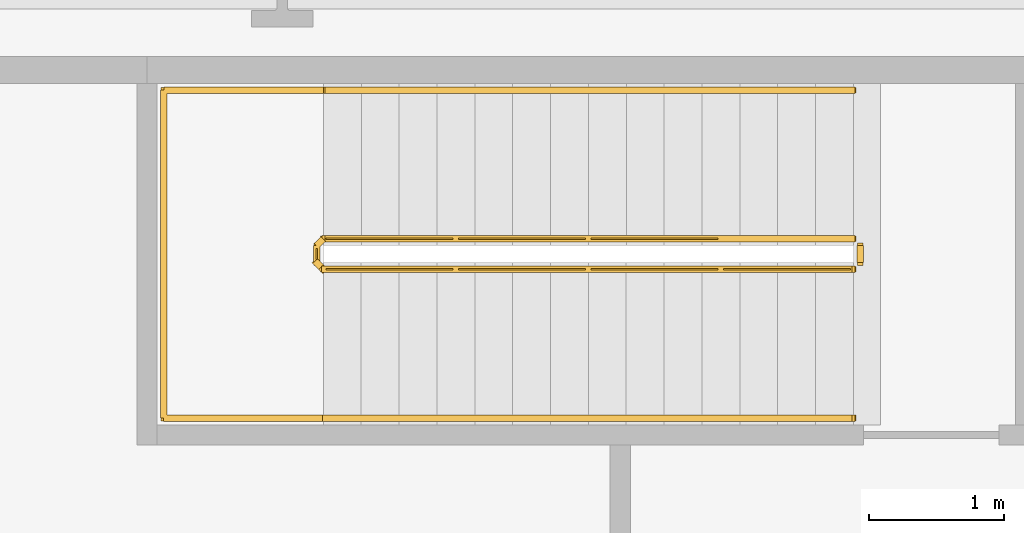
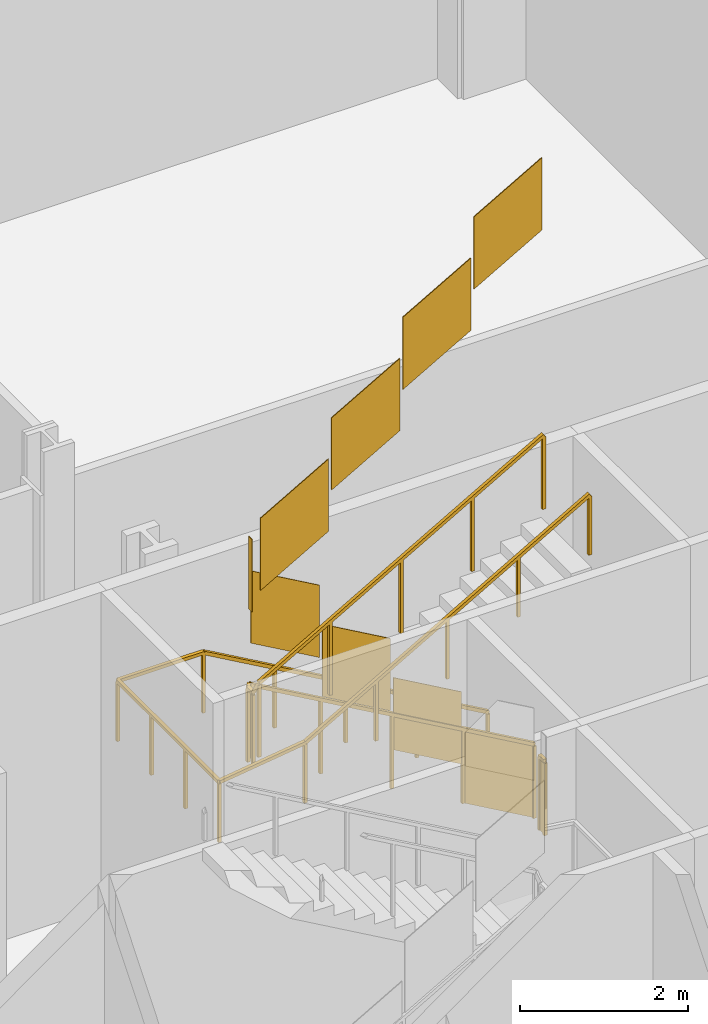
# One storey, part 24 of 26: 3 railings.
"""IFC4 building model written with IfcOpenShell, lengths in metres."""

from ifc_helpers import new_model, si_unit, direction, frame, origin, origin_2d, place, context, subcontext, project, spatial, polyline, rectangle, outline, extrude, material, type_object, element, save


model = new_model("IFC4")

# Units and contexts
model_context = context("Model", 3, precision=1e-05, world=origin(), true_north=direction((0.0, 1.0)))
body_context = subcontext(model_context, "Body", "Model", "MODEL_VIEW")
ifc_project = project(units=[si_unit("LENGTHUNIT", "METRE"), si_unit("AREAUNIT", "SQUARE_METRE"), si_unit("VOLUMEUNIT", "CUBIC_METRE"), si_unit("PLANEANGLEUNIT", "RADIAN"), si_unit("MASSUNIT", "GRAM", prefix="KILO")], contexts=[model_context])

# Site, building, storey
site_placement = place(None, origin())
site = spatial("IfcSite", under=ifc_project, at=site_placement, CompositionType="ELEMENT")
building_placement = place(site_placement, origin())
building = spatial("IfcBuilding", under=site, at=building_placement, Name="Cairn Pilgrim Tower", CompositionType="ELEMENT")
storey_placement = place(building_placement, frame((0.0, 0.0, 25.800048828125)))
storey = spatial("IfcBuildingStorey", under=building, at=storey_placement, Name="L04", CompositionType="ELEMENT", Elevation=25.800048828125)

# Railings
ifc_material = material(Name="Painted steel", Category="steel")
railing_type_1 = type_object("IfcRailingType", Name="STAIR GUARD 1100", PredefinedType="GUARDRAIL", material=ifc_material)
railing_1_placement = place(storey_placement, frame((11.425048828125, 8.949951171875, 0.159912109375)))
element("IfcRailing", 1, at=railing_1_placement, inside=storey, type_object=railing_type_1, Name="L04 ST-C stair guard 1", PredefinedType="GUARDRAIL", context=body_context, shape_type="SweptSolid", body=[
    extrude(rectangle(XDim=0.048095703125, YDim=0.048095703125, at=origin_2d()), frame((0.0, 0.0, 1.076171875), z_axis=(-0.86825312469, 0.0, 0.496121468458), x_axis=(0.0, -1.0, 0.0)), (0.0, 0.0, 1.0), 4.514892578125),
    extrude(rectangle(XDim=0.048095703125, YDim=0.048095703125, at=origin_2d()), frame((-3.920166015625, 0.0, 3.31591796875), z_axis=(-0.705375805398, -0.708833529934, 0.0), x_axis=(0.708833529934, -0.705375805398, 0.0)), (0.0, 0.0, 1.0), 0.070556640625),
    extrude(rectangle(XDim=0.048095703125, YDim=0.048095703125, at=origin_2d()), frame((-3.969970703125, -0.050048828125, 3.31591796875), z_axis=(0.0, -1.0, 0.0), x_axis=(1.0, 0.0, 0.0)), (0.0, 0.0, 1.0), 0.125),
    extrude(rectangle(XDim=0.048095703125, YDim=0.048095703125, at=origin_2d()), frame((-3.969970703125, -0.175048828125, 3.31591796875), z_axis=(0.284663109963, -0.284663109963, 0.915387255566), x_axis=(0.707106781187, 0.707106781187, 0.0)), (0.0, 0.0, 1.0), 0.175048828125),
    extrude(rectangle(XDim=0.048095703125, YDim=0.048095703125, at=origin_2d()), frame((-3.920166015625, -0.224853515625, 3.47607421875), z_axis=(0.86825312469, 0.0, 0.496121468458), x_axis=(0.0, 1.0, 0.0)), (0.0, 0.0, 1.0), 4.514892578125),
    extrude(rectangle(XDim=0.0419921875, YDim=0.0419921875, at=origin_2d()), origin(), (0.0, 0.0, 1.0), 1.052001953125),
    extrude(rectangle(XDim=0.0419921875, YDim=0.0419921875, at=origin_2d()), frame((-0.97998046875, 0.0, 0.56005859375)), (0.0, 0.0, 1.0), 1.052001953125),
    extrude(rectangle(XDim=0.0419921875, YDim=0.0419921875, at=origin_2d()), frame((-1.9599609375, 0.0, 1.1201171875)), (0.0, 0.0, 1.0), 1.052001953125),
    extrude(rectangle(XDim=0.0419921875, YDim=0.0419921875, at=origin_2d()), frame((-2.940185546875, 0.0, 1.679931640625)), (0.0, 0.0, 1.0), 1.052001953125),
    extrude(rectangle(XDim=0.0419921875, YDim=0.0419921875, at=origin_2d()), frame((-3.920166015625, 0.0, 2.239990234375)), (0.0, 0.0, 1.0), 1.052001953125),
    extrude(rectangle(XDim=0.0419921875, YDim=0.0419921875, at=origin_2d()), frame((-3.969970703125, -0.050048828125, 2.239990234375)), (0.0, 0.0, 1.0), 1.052001953125),
    extrude(rectangle(XDim=0.0419921875, YDim=0.0419921875, at=origin_2d()), frame((-3.969970703125, -0.175048828125, 2.239990234375)), (0.0, 0.0, 1.0), 1.052001953125),
    extrude(rectangle(XDim=0.0419921875, YDim=0.0419921875, at=origin_2d()), frame((-3.920166015625, -0.224853515625, 2.400146484375)), (0.0, 0.0, 1.0), 1.052001953125),
    extrude(rectangle(XDim=0.0419921875, YDim=0.0419921875, at=origin_2d()), frame((-2.940185546875, -0.224853515625, 2.960205078125)), (0.0, 0.0, 1.0), 1.052001953125),
    extrude(rectangle(XDim=0.0419921875, YDim=0.0419921875, at=origin_2d()), frame((-1.9599609375, -0.224853515625, 3.52001953125)), (0.0, 0.0, 1.0), 1.052001953125),
    extrude(rectangle(XDim=0.0419921875, YDim=0.0419921875, at=origin_2d()), frame((-0.97998046875, -0.224853515625, 4.080078125)), (0.0, 0.0, 1.0), 1.052001953125),
    extrude(rectangle(XDim=0.0419921875, YDim=0.0419921875, at=origin_2d()), frame((0.0, -0.224853515625, 4.64013671875)), (0.0, 0.0, 1.0), 1.052001953125),
    extrude(outline(polyline([(0.02099609375, 0.011962890625), (0.958984375, 0.548095703125), (0.958984375, 1.60009765625), (0.02099609375, 1.06396484375), (0.02099609375, 0.011962890625)])), frame((0.0, -0.005859375, 0.0), z_axis=(0.0, 1.0, 0.0), x_axis=(-1.0, 0.0, 0.0)), (0.0, 0.0, 1.0), 0.011962890625),
    extrude(outline(polyline([(0.02099609375, 0.572021484375), (0.958984375, 1.10791015625), (0.958984375, 2.159912109375), (0.02099609375, 1.6240234375), (0.02099609375, 0.572021484375)])), frame((-0.97998046875, -0.005859375, 0.56005859375), z_axis=(0.0, 1.0, 0.0), x_axis=(-1.0, 0.0, 0.0)), (0.0, 0.0, 1.0), 0.011962890625),
    extrude(outline(polyline([(0.02099609375, 1.132080078125), (0.958984375, 1.66796875), (0.958984375, 2.719970703125), (0.02099609375, 2.18408203125), (0.02099609375, 1.132080078125)])), frame((-1.9599609375, -0.005859375, 1.1201171875), z_axis=(0.0, 1.0, 0.0), x_axis=(-1.0, 0.0, 0.0)), (0.0, 0.0, 1.0), 0.011962890625),
    extrude(outline(polyline([(0.02099609375, 1.69189453125), (0.958984375, 2.22802734375), (0.958984375, 3.280029296875), (0.02099609375, 2.743896484375), (0.02099609375, 1.69189453125)])), frame((-2.940185546875, -0.005859375, 1.679931640625), z_axis=(0.0, 1.0, 0.0), x_axis=(-1.0, 0.0, 0.0)), (0.0, 0.0, 1.0), 0.011962890625),
    extrude(outline(polyline([(0.02099609375, 2.239990234375), (0.10400390625, 2.239990234375), (0.10400390625, 3.2919921875), (0.02099609375, 3.2919921875), (0.02099609375, 2.239990234375)])), frame((-3.9638671875, -0.050048828125, 2.239990234375), z_axis=(-1.0, 0.0, 0.0), x_axis=(0.0, -1.0, 0.0)), (0.0, 0.0, 1.0), 0.011962890625),
    extrude(outline(polyline([(0.02099609375, 2.412109375), (0.958984375, 2.9482421875), (0.958984375, 4.000244140625), (0.02099609375, 3.464111328125), (0.02099609375, 2.412109375)])), frame((-3.920166015625, -0.21875, 2.400146484375), z_axis=(0.0, -1.0, 0.0), x_axis=(1.0, 0.0, 0.0)), (0.0, 0.0, 1.0), 0.011962890625),
    extrude(outline(polyline([(0.02099609375, 2.97216796875), (0.958984375, 3.508056640625), (0.958984375, 4.56005859375), (0.02099609375, 4.024169921875), (0.02099609375, 2.97216796875)])), frame((-2.940185546875, -0.21875, 2.960205078125), z_axis=(0.0, -1.0, 0.0), x_axis=(1.0, 0.0, 0.0)), (0.0, 0.0, 1.0), 0.011962890625),
    extrude(outline(polyline([(0.02099609375, 3.5322265625), (0.958984375, 4.068115234375), (0.958984375, 5.1201171875), (0.02099609375, 4.584228515625), (0.02099609375, 3.5322265625)])), frame((-1.9599609375, -0.21875, 3.52001953125), z_axis=(0.0, -1.0, 0.0), x_axis=(1.0, 0.0, 0.0)), (0.0, 0.0, 1.0), 0.011962890625),
    extrude(outline(polyline([(0.02099609375, 4.092041015625), (0.958984375, 4.628173828125), (0.958984375, 5.68017578125), (0.02099609375, 5.14404296875), (0.02099609375, 4.092041015625)])), frame((-0.97998046875, -0.21875, 4.080078125), z_axis=(0.0, -1.0, 0.0), x_axis=(1.0, 0.0, 0.0)), (0.0, 0.0, 1.0), 0.011962890625),
])
railing_2_placement = place(storey_placement, frame((11.47509765625, 8.89990234375, 0.0)))
element("IfcRailing", 2, at=railing_2_placement, inside=storey, type_object=railing_type_1, Name="L04 ST-C stair guard 2", PredefinedType="GUARDRAIL", context=body_context, shape_type="SweptSolid", body=[
    extrude(rectangle(XDim=0.048095703125, YDim=0.048095703125, at=origin_2d()), frame((0.0, 0.0, 1.076171875), z_axis=(0.0, -1.0, 0.0), x_axis=(1.0, 0.0, 0.0)), (0.0, 0.0, 1.0), 0.125),
    extrude(rectangle(XDim=0.0419921875, YDim=0.0419921875, at=origin_2d()), origin(), (0.0, 0.0, 1.0), 1.052001953125),
    extrude(rectangle(XDim=0.0419921875, YDim=0.0419921875, at=origin_2d()), frame((0.0, -0.125, 0.0)), (0.0, 0.0, 1.0), 1.052001953125),
    extrude(outline(polyline([(0.02099609375, 0.0), (0.10400390625, 0.0), (0.10400390625, 1.052001953125), (0.02099609375, 1.052001953125), (0.02099609375, 0.0)])), frame((0.005859375, 0.0, 0.0), z_axis=(-1.0, 0.0, 0.0), x_axis=(0.0, -1.0, 0.0)), (0.0, 0.0, 1.0), 0.011962890625),
])
railing_type_2 = type_object("IfcRailingType", Name="STAIR HANDRAIL 900", PredefinedType="HANDRAIL", material=ifc_material)
railing_3_placement = place(storey_placement, frame((11.425048828125, 10.050048828125, 0.159912109375)))
element("IfcRailing", 3, at=railing_3_placement, inside=storey, type_object=railing_type_2, Name="L04 ST-C stair handrail 1", PredefinedType="HANDRAIL", context=body_context, shape_type="SweptSolid", body=[
    extrude(rectangle(XDim=0.048095703125, YDim=0.048095703125, at=origin_2d()), frame((0.0, 0.0, 0.8759765625), z_axis=(-0.86825312469, 0.0, 0.496121468458), x_axis=(0.0, -1.0, 0.0)), (0.0, 0.0, 1.0), 4.514892578125),
    extrude(rectangle(XDim=0.048095703125, YDim=0.048095703125, at=origin_2d()), frame((-3.920166015625, 0.0, 3.11572265625), z_axis=(-1.0, 0.0, 0.0), x_axis=(0.0, -1.0, 0.0)), (0.0, 0.0, 1.0), 1.179931640625),
    extrude(rectangle(XDim=0.048095703125, YDim=0.048095703125, at=origin_2d()), frame((-5.10009765625, 0.0, 3.11572265625), z_axis=(0.0, -1.0, 0.0), x_axis=(1.0, 0.0, 0.0)), (0.0, 0.0, 1.0), 2.425048828125),
    extrude(rectangle(XDim=0.048095703125, YDim=0.048095703125, at=origin_2d()), frame((-5.10009765625, -2.425048828125, 3.11572265625), z_axis=(0.990913571068, 0.0, 0.134500166071), x_axis=(0.0, 1.0, 0.0)), (0.0, 0.0, 1.0), 1.190673828125),
    extrude(rectangle(XDim=0.048095703125, YDim=0.048095703125, at=origin_2d()), frame((-3.920166015625, -2.425048828125, 3.27587890625), z_axis=(0.86825312469, 0.0, 0.496121468458), x_axis=(0.0, 1.0, 0.0)), (0.0, 0.0, 1.0), 4.514892578125),
    extrude(rectangle(XDim=0.0419921875, YDim=0.0419921875, at=origin_2d()), origin(), (0.0, 0.0, 1.0), 0.851806640625),
    extrude(rectangle(XDim=0.0419921875, YDim=0.0419921875, at=origin_2d()), frame((-0.97998046875, 0.0, 0.56005859375)), (0.0, 0.0, 1.0), 0.851806640625),
    extrude(rectangle(XDim=0.0419921875, YDim=0.0419921875, at=origin_2d()), frame((-1.9599609375, 0.0, 1.1201171875)), (0.0, 0.0, 1.0), 0.851806640625),
    extrude(rectangle(XDim=0.0419921875, YDim=0.0419921875, at=origin_2d()), frame((-2.940185546875, 0.0, 1.679931640625)), (0.0, 0.0, 1.0), 0.851806640625),
    extrude(rectangle(XDim=0.0419921875, YDim=0.0419921875, at=origin_2d()), frame((-3.920166015625, 0.0, 2.239990234375)), (0.0, 0.0, 1.0), 0.851806640625),
    extrude(rectangle(XDim=0.0419921875, YDim=0.0419921875, at=origin_2d()), frame((-5.10009765625, 0.0, 2.239990234375)), (0.0, 0.0, 1.0), 0.851806640625),
    extrude(rectangle(XDim=0.0419921875, YDim=0.0419921875, at=origin_2d()), frame((-5.10009765625, -0.808349609375, 2.239990234375)), (0.0, 0.0, 1.0), 0.851806640625),
    extrude(rectangle(XDim=0.0419921875, YDim=0.0419921875, at=origin_2d()), frame((-5.10009765625, -1.61669921875, 2.239990234375)), (0.0, 0.0, 1.0), 0.851806640625),
    extrude(rectangle(XDim=0.0419921875, YDim=0.0419921875, at=origin_2d()), frame((-5.10009765625, -2.425048828125, 2.239990234375)), (0.0, 0.0, 1.0), 0.851806640625),
    extrude(rectangle(XDim=0.0419921875, YDim=0.0419921875, at=origin_2d()), frame((-3.920166015625, -2.425048828125, 2.400146484375)), (0.0, 0.0, 1.0), 0.851806640625),
    extrude(rectangle(XDim=0.0419921875, YDim=0.0419921875, at=origin_2d()), frame((-2.940185546875, -2.425048828125, 2.960205078125)), (0.0, 0.0, 1.0), 0.851806640625),
    extrude(rectangle(XDim=0.0419921875, YDim=0.0419921875, at=origin_2d()), frame((-1.9599609375, -2.425048828125, 3.52001953125)), (0.0, 0.0, 1.0), 0.851806640625),
    extrude(rectangle(XDim=0.0419921875, YDim=0.0419921875, at=origin_2d()), frame((-0.97998046875, -2.425048828125, 4.080078125)), (0.0, 0.0, 1.0), 0.851806640625),
    extrude(rectangle(XDim=0.0419921875, YDim=0.0419921875, at=origin_2d()), frame((0.0, -2.425048828125, 4.64013671875)), (0.0, 0.0, 1.0), 0.851806640625),
])

save(model, "model.ifc")
